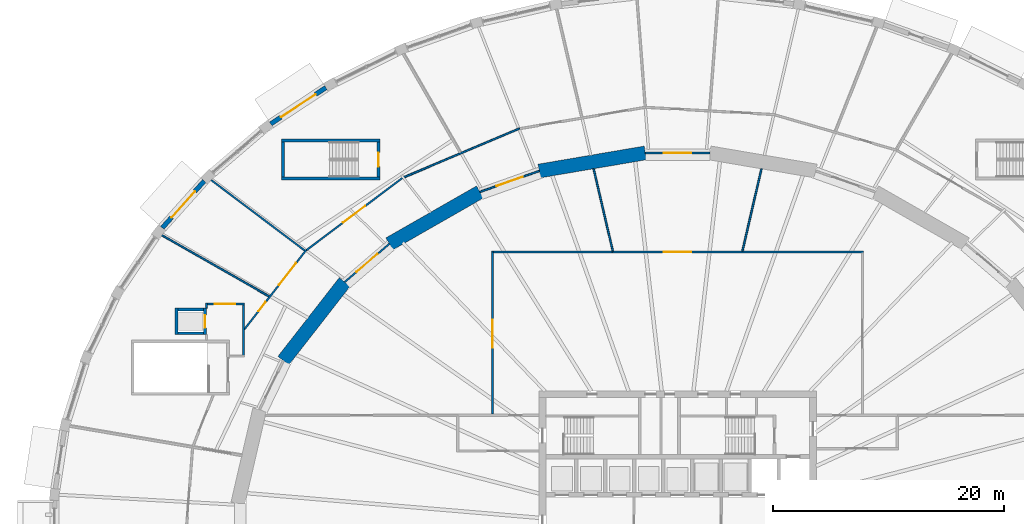
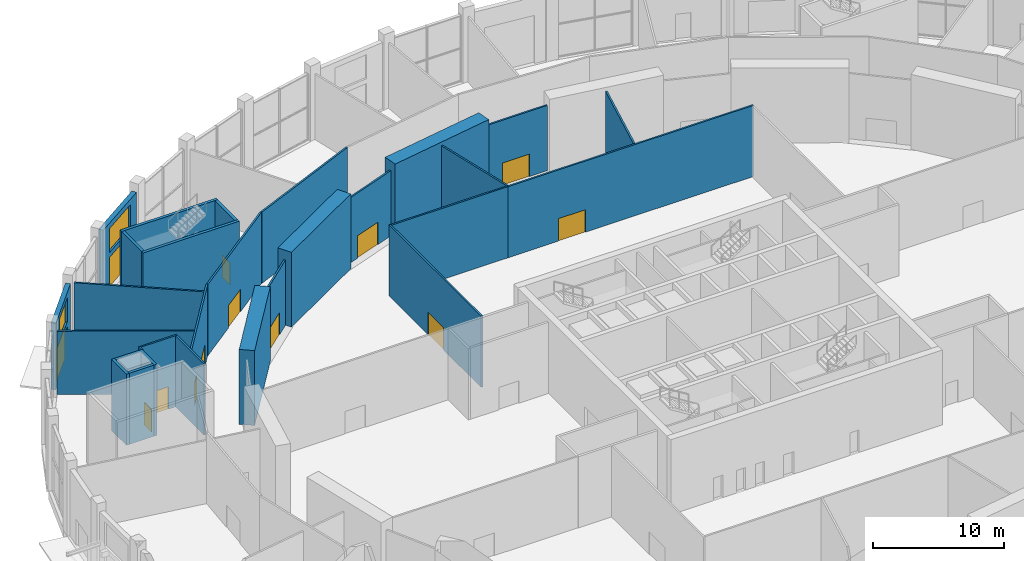
# One storey, part 26 of 33: 29 walls, 13 doors, 2 windows, 15 openings.
"""IFC4 building model written with IfcOpenShell, lengths in metres."""

from ifc_helpers import new_model, si_unit, direction, frame, frame_2d, origin, place, context, subcontext, project, spatial, polyline, rectangle, outline, extrude, material, layer, layer_set, type_object, element, fill, save


model = new_model("IFC4")

# Units and contexts
model_context = context("Model", 3, precision=1e-05, world=origin(), true_north=direction((0.0, 1.0)))
body_context = subcontext(model_context, "Body", "Model", "MODEL_VIEW")
ifc_project = project(units=[si_unit("LENGTHUNIT", "METRE"), si_unit("AREAUNIT", "SQUARE_METRE"), si_unit("VOLUMEUNIT", "CUBIC_METRE"), si_unit("PLANEANGLEUNIT", "RADIAN"), si_unit("MASSUNIT", "GRAM", prefix="KILO")], contexts=[model_context])

# Site, building, storey
site_placement = place(None, origin())
site = spatial("IfcSite", under=ifc_project, at=site_placement, CompositionType="ELEMENT")
building_placement = place(site_placement, origin())
building = spatial("IfcBuilding", under=site, at=building_placement, Name="Halqa Exchange Tower", CompositionType="ELEMENT")
storey_placement = place(building_placement, origin())
storey = spatial("IfcBuildingStorey", under=building, at=storey_placement, Name="L00", CompositionType="ELEMENT", Elevation=0.0)

# Wall
ifc_material_1 = material(Name="Fire-rated gypsum board")
ifc_layer_1 = layer(ifc_material_1, 0.14990234375)
ifc_layer_set_1 = layer_set([ifc_layer_1], Name="Fire-rated gypsum board")
wall_type_1 = type_object("IfcWallType", Name="Fire partition EI 60 150", PredefinedType="PARTITIONING", material=ifc_layer_set_1)
wall_1_placement = place(storey_placement, frame((-40.75, 19.14990234375, 0.0), z_axis=(0.0, 0.0, 1.0), x_axis=(0.0, 1.0, 0.0)))
element("IfcWall", 1, at=wall_1_placement, inside=storey, type_object=wall_type_1, Name="L00-PWL-010", PredefinedType="PARTITIONING", context=body_context, shape_type="SweptSolid", body=[
    extrude(rectangle(XDim=0.425048828125, YDim=0.14990234375, at=frame_2d((0.21240234375, 0.0))), origin(), (0.0, 0.0, 1.0), 6.64990234375),
])

# Wall, opening, door
wall_2_placement = place(storey_placement, frame((-40.675048828125, 19.5, 0.0), z_axis=(0.0, 0.0, 1.0), x_axis=(1.0, 0.0, 0.0)))
wall_2 = element("IfcWall", 2, at=wall_2_placement, inside=storey, type_object=wall_type_1, Name="L00-PWL-011", PredefinedType="PARTITIONING", context=body_context, shape_type="SweptSolid", body=[
    extrude(rectangle(XDim=3.199951171875, YDim=0.14990234375, at=frame_2d((1.60009765625, 0.0))), origin(), (0.0, 0.0, 1.0), 6.64990234375),
])
opening_1_placement = place(wall_2_placement, frame((0.625, 0.0, 0.0)))
opening_1 = element("IfcOpeningElement", 3, at=opening_1_placement, cuts=wall_2, Name="Opening L00-65", PredefinedType="OPENING", context=body_context, shape_type="SweptSolid", body=[
    extrude(rectangle(XDim=1.800048828125, YDim=2.10009765625, at=frame_2d((0.89990234375, 1.050048828125))), frame((0.0, 0.0869140625, 0.0), z_axis=(0.0, -1.0, 0.0), x_axis=(1.0, 0.0, 0.0)), (0.0, 0.0, 1.0), 0.173828125),
])
ifc_material_2 = material(Name="Steel fire door leaf", Category="steel")
door_type_1 = type_object("IfcDoorType", Name="Fire door FD30S double 1800 x 2100", OperationType="DOUBLE_DOOR_SINGLE_SWING", PredefinedType="DOOR", material=ifc_material_2)
door_1_placement = place(opening_1_placement, origin())
door_1 = element("IfcDoor", 4, at=door_1_placement, inside=storey, type_object=door_type_1, Name="L00-IDR-065", OperationType="DOUBLE_DOOR_SINGLE_SWING", OverallHeight=2.10009765625, OverallWidth=1.800048828125, PredefinedType="DOOR", context=body_context, shape_type="SweptSolid", body=[
    extrude(rectangle(XDim=1.800048828125, YDim=2.10009765625, at=frame_2d((0.89990234375, 1.050048828125))), frame((0.0, 0.02490234375, 0.0), z_axis=(0.0, -1.0, 0.0), x_axis=(1.0, 0.0, 0.0)), (0.0, 0.0, 1.0), 0.050048828125),
])
fill(opening_1, door_1)

# Walls
wall_3_placement = place(storey_placement, frame((-40.337646484375, 30.225341796875, 0.0), z_axis=(0.0, 0.0, 1.0), x_axis=(0.798789212221, -0.601610999267, 0.0)))
element("IfcWall", 5, at=wall_3_placement, inside=storey, type_object=wall_type_1, Name="L00-PWL-012", PredefinedType="PARTITIONING", context=body_context, shape_type="SweptSolid", body=[
    extrude(outline(polyline([(-0.011474609375, -0.074951171875), (10.273193359375, -0.074951171875), (10.273193359375, 0.074951171875), (0.011474609375, 0.074951171875), (-0.011474609375, -0.074951171875)])), origin(), (0.0, 0.0, 1.0), 6.050048828125),
])
wall_4_placement = place(storey_placement, frame((-37.550048828125, 15.074951171875, 0.0), z_axis=(0.0, 0.0, 1.0), x_axis=(0.0, 1.0, 0.0)))
element("IfcWall", 6, at=wall_4_placement, inside=storey, type_object=wall_type_1, Name="L00-PWL-018", PredefinedType="PARTITIONING", context=body_context, shape_type="SweptSolid", body=[
    extrude(rectangle(XDim=4.35107421875, YDim=0.14990234375, at=frame_2d((2.175537109375, 0.0))), origin(), (0.0, 0.0, 1.0), 6.64990234375),
])

# Wall, openings, doors
wall_5_placement = place(storey_placement, frame((-37.4755859375, 17.305419921875, 0.0), z_axis=(0.0, 0.0, 1.0), x_axis=(0.614894762304, 0.788609175252, 0.0)))
wall_5 = element("IfcWall", 7, at=wall_5_placement, inside=storey, type_object=wall_type_1, Name="L00-PWL-019", PredefinedType="PARTITIONING", context=body_context, shape_type="SweptSolid", body=[
    extrude(rectangle(XDim=8.72900390625, YDim=0.14990234375, at=frame_2d((4.364501953125, 0.0))), origin(), (0.0, 0.0, 1.0), 6.64990234375),
])
opening_2_placement = place(wall_5_placement, frame((4.890869140625, 0.0, 0.0)))
opening_2 = element("IfcOpeningElement", 8, at=opening_2_placement, cuts=wall_5, Name="Opening L00-48", PredefinedType="OPENING", context=body_context, shape_type="SweptSolid", body=[
    extrude(rectangle(XDim=2.39990234375, YDim=2.10009765625, at=frame_2d((1.199951171875, 1.050048828125))), frame((0.0, 0.0869140625, 0.0), z_axis=(0.0, -1.0, 0.0), x_axis=(1.0, 0.0, 0.0)), (0.0, 0.0, 1.0), 0.173828125),
])
opening_3_placement = place(wall_5_placement, frame((1.9931640625, 0.0, 0.0)))
opening_3 = element("IfcOpeningElement", 9, at=opening_3_placement, cuts=wall_5, Name="Opening L00-49", PredefinedType="OPENING", context=body_context, shape_type="SweptSolid", body=[
    extrude(rectangle(XDim=1.0, YDim=2.10009765625, at=frame_2d((0.5, 1.050048828125))), frame((0.0, 0.0869140625, 0.0), z_axis=(0.0, -1.0, 0.0), x_axis=(1.0, 0.0, 0.0)), (0.0, 0.0, 1.0), 0.173828125),
])
door_type_2 = type_object("IfcDoorType", Name="Fire door FD30S 1000 x 2100", OperationType="SINGLE_SWING_LEFT", PredefinedType="DOOR", material=ifc_material_2)
door_2_placement = place(opening_3_placement, frame((1.0, 0.0, 0.0), z_axis=(0.0, 0.0, 1.0), x_axis=(-1.0, 0.0, 0.0)))
door_2 = element("IfcDoor", 10, at=door_2_placement, inside=storey, type_object=door_type_2, Name="L00-IDR-049", OperationType="SINGLE_SWING_LEFT", OverallHeight=2.10009765625, OverallWidth=1.0, PredefinedType="DOOR", context=body_context, shape_type="SweptSolid", body=[
    extrude(rectangle(XDim=1.0, YDim=2.10009765625, at=frame_2d((0.5, 1.050048828125))), frame((0.0, 0.02490234375, 0.0), z_axis=(0.0, -1.0, 0.0), x_axis=(1.0, 0.0, 0.0)), (0.0, 0.0, 1.0), 0.050048828125),
])
fill(opening_3, door_2)
door_type_3 = type_object("IfcDoorType", Name="Fire door FD60S double 2400 x 2100", OperationType="DOUBLE_DOOR_SINGLE_SWING", PredefinedType="DOOR", material=ifc_material_2)
door_3_placement = place(opening_2_placement, origin())
door_3 = element("IfcDoor", 11, at=door_3_placement, inside=storey, type_object=door_type_3, Name="L00-IDR-048", OperationType="DOUBLE_DOOR_SINGLE_SWING", OverallHeight=2.10009765625, OverallWidth=2.39990234375, PredefinedType="DOOR", context=body_context, shape_type="SweptSolid", body=[
    extrude(rectangle(XDim=2.39990234375, YDim=2.10009765625, at=frame_2d((1.199951171875, 1.050048828125))), frame((0.0, 0.02490234375, 0.0), z_axis=(0.0, -1.0, 0.0), x_axis=(1.0, 0.0, 0.0)), (0.0, 0.0, 1.0), 0.050048828125),
])
fill(opening_2, door_3)

# Wall
wall_6_placement = place(storey_placement, frame((-35.33740234375, 20.16845703125, 0.0), z_axis=(0.0, 0.0, 1.0), x_axis=(-0.868241733504, 0.496141403435, 0.0)))
element("IfcWall", 12, at=wall_6_placement, inside=storey, type_object=wall_type_1, Name="L00-PWL-024", PredefinedType="PARTITIONING", context=body_context, shape_type="SweptSolid", body=[
    extrude(outline(polyline([(-0.0107421875, -0.074951171875), (10.655029296875, -0.074951171875), (10.676513671875, 0.074951171875), (0.0107421875, 0.074951171875), (-0.0107421875, -0.074951171875)])), origin(), (0.0, 0.0, 1.0), 5.89697265625),
])

# Wall, opening, door
wall_7_placement = place(storey_placement, frame((-32.131591796875, 24.138916015625, 0.0), z_axis=(0.0, 0.0, 1.0), x_axis=(0.799199441693, 0.601065930158, 0.0)))
wall_7 = element("IfcWall", 13, at=wall_7_placement, inside=storey, type_object=wall_type_1, Name="L00-PWL-026", PredefinedType="PARTITIONING", context=body_context, shape_type="SweptSolid", body=[
    extrude(rectangle(XDim=10.548828125, YDim=0.14990234375, at=frame_2d((5.2744140625, 0.0))), origin(), (0.0, 0.0, 1.0), 6.64990234375),
])
opening_4_placement = place(wall_7_placement, frame((4.0009765625, 0.0, 0.0)))
opening_4 = element("IfcOpeningElement", 14, at=opening_4_placement, cuts=wall_7, Name="Opening L00-47", PredefinedType="OPENING", context=body_context, shape_type="SweptSolid", body=[
    extrude(rectangle(XDim=2.39990234375, YDim=2.10009765625, at=frame_2d((1.199951171875, 1.050048828125))), frame((0.0, 0.0869140625, 0.0), z_axis=(0.0, -1.0, 0.0), x_axis=(1.0, 0.0, 0.0)), (0.0, 0.0, 1.0), 0.173828125),
])
door_4_placement = place(opening_4_placement, frame((2.39990234375, 0.0, 0.0), z_axis=(0.0, 0.0, 1.0), x_axis=(-1.0, 0.0, 0.0)))
door_4 = element("IfcDoor", 15, at=door_4_placement, inside=storey, type_object=door_type_3, Name="L00-IDR-047", OperationType="DOUBLE_DOOR_SINGLE_SWING", OverallHeight=2.10009765625, OverallWidth=2.39990234375, PredefinedType="DOOR", context=body_context, shape_type="SweptSolid", body=[
    extrude(rectangle(XDim=2.39990234375, YDim=2.10009765625, at=frame_2d((1.199951171875, 1.050048828125))), frame((0.0, 0.02490234375, 0.0), z_axis=(0.0, -1.0, 0.0), x_axis=(1.0, 0.0, 0.0)), (0.0, 0.0, 1.0), 0.050048828125),
])
fill(opening_4, door_4)

wall_8_placement = place(storey_placement, frame((-28.789306640625, 21.41064453125, 0.0), z_axis=(0.0, 0.0, 1.0), x_axis=(0.760084552743, 0.649824185978, 0.0)))
wall_8 = element("IfcWall", 16, at=wall_8_placement, inside=storey, type_object=wall_type_1, Name="L00-PWL-028", PredefinedType="PARTITIONING", context=body_context, shape_type="SweptSolid", body=[
    extrude(outline(polyline([(0.015380859375, -0.074951171875), (5.060791015625, -0.074951171875), (5.089111328125, 0.074951171875), (-0.015380859375, 0.074951171875), (0.015380859375, -0.074951171875)])), origin(), (0.0, 0.0, 1.0), 6.10009765625),
])
opening_5_placement = place(wall_8_placement, frame((1.338134765625, 0.0, 0.0)))
opening_5 = element("IfcOpeningElement", 17, at=opening_5_placement, cuts=wall_8, Name="Opening L00-25", PredefinedType="OPENING", context=body_context, shape_type="SweptSolid", body=[
    extrude(rectangle(XDim=2.39990234375, YDim=2.10009765625, at=frame_2d((1.199951171875, 1.050048828125))), frame((0.0, 0.0869140625, 0.0), z_axis=(0.0, -1.0, 0.0), x_axis=(1.0, 0.0, 0.0)), (0.0, 0.0, 1.0), 0.173828125),
])
door_5_placement = place(opening_5_placement, frame((2.39990234375, 0.0, 0.0), z_axis=(0.0, 0.0, 1.0), x_axis=(-1.0, 0.0, 0.0)))
door_5 = element("IfcDoor", 18, at=door_5_placement, inside=storey, type_object=door_type_3, Name="L00-IDR-025", OperationType="DOUBLE_DOOR_SINGLE_SWING", OverallHeight=2.10009765625, OverallWidth=2.39990234375, PredefinedType="DOOR", context=body_context, shape_type="SweptSolid", body=[
    extrude(rectangle(XDim=2.39990234375, YDim=2.10009765625, at=frame_2d((1.199951171875, 1.050048828125))), frame((0.0, 0.02490234375, 0.0), z_axis=(0.0, -1.0, 0.0), x_axis=(1.0, 0.0, 0.0)), (0.0, 0.0, 1.0), 0.050048828125),
])
fill(opening_5, door_5)

# Wall
wall_9_placement = place(storey_placement, frame((-23.6865234375, 30.45947265625, 0.0), z_axis=(0.0, 0.0, 1.0), x_axis=(0.921275306177, 0.388911056964, 0.0)))
element("IfcWall", 19, at=wall_9_placement, inside=storey, type_object=wall_type_1, Name="L00-PWL-030", PredefinedType="PARTITIONING", context=body_context, shape_type="SweptSolid", body=[
    extrude(rectangle(XDim=10.873291015625, YDim=0.14990234375, at=frame_2d((5.4365234375, 0.0))), origin(), (0.0, 0.0, 1.0), 6.64990234375),
])

# Wall, opening, door
wall_10_placement = place(storey_placement, frame((-17.0908203125, 29.19970703125, 0.0), z_axis=(0.0, 0.0, 1.0), x_axis=(0.942814385805, 0.333318217204, 0.0)))
wall_10 = element("IfcWall", 20, at=wall_10_placement, inside=storey, type_object=wall_type_1, Name="L00-PWL-041", PredefinedType="PARTITIONING", context=body_context, shape_type="SweptSolid", body=[
    extrude(outline(polyline([(0.013671875, -0.074951171875), (5.421875, -0.074951171875), (5.44775390625, 0.074951171875), (-0.013671875, 0.074951171875), (0.013671875, -0.074951171875)])), origin(), (0.0, 0.0, 1.0), 6.10009765625),
])
opening_6_placement = place(wall_10_placement, frame((1.516357421875, 0.0, 0.0)))
opening_6 = element("IfcOpeningElement", 21, at=opening_6_placement, cuts=wall_10, Name="Opening L00-24", PredefinedType="OPENING", context=body_context, shape_type="SweptSolid", body=[
    extrude(rectangle(XDim=2.39990234375, YDim=2.10009765625, at=frame_2d((1.199951171875, 1.050048828125))), frame((0.0, 0.0869140625, 0.0), z_axis=(0.0, -1.0, 0.0), x_axis=(1.0, 0.0, 0.0)), (0.0, 0.0, 1.0), 0.173828125),
])
door_6_placement = place(opening_6_placement, frame((2.39990234375, 0.0, 0.0), z_axis=(0.0, 0.0, 1.0), x_axis=(-1.0, 0.0, 0.0)))
door_6 = element("IfcDoor", 22, at=door_6_placement, inside=storey, type_object=door_type_3, Name="L00-IDR-024", OperationType="DOUBLE_DOOR_SINGLE_SWING", OverallHeight=2.10009765625, OverallWidth=2.39990234375, PredefinedType="DOOR", context=body_context, shape_type="SweptSolid", body=[
    extrude(rectangle(XDim=2.39990234375, YDim=2.10009765625, at=frame_2d((1.199951171875, 1.050048828125))), frame((0.0, 0.02490234375, 0.0), z_axis=(0.0, -1.0, 0.0), x_axis=(1.0, 0.0, 0.0)), (0.0, 0.0, 1.0), 0.050048828125),
])
fill(opening_6, door_6)

wall_11_placement = place(storey_placement, frame((-16.0, 9.97998046875, 0.0), z_axis=(0.0, 0.0, 1.0), x_axis=(0.0, 1.0, 0.0)))
wall_11 = element("IfcWall", 23, at=wall_11_placement, inside=storey, type_object=wall_type_1, Name="L00-PWL-044", PredefinedType="PARTITIONING", context=body_context, shape_type="SweptSolid", body=[
    extrude(rectangle(XDim=14.094970703125, YDim=0.14990234375, at=frame_2d((7.04736328125, 0.0))), origin(), (0.0, 0.0, 1.0), 6.64990234375),
])
opening_7_placement = place(wall_11_placement, frame((5.760009765625, 0.0, 0.0)))
opening_7 = element("IfcOpeningElement", 24, at=opening_7_placement, cuts=wall_11, Name="Opening L00-11", PredefinedType="OPENING", context=body_context, shape_type="SweptSolid", body=[
    extrude(rectangle(XDim=2.39990234375, YDim=2.10009765625, at=frame_2d((1.199951171875, 1.050048828125))), frame((0.0, 0.0869140625, 0.0), z_axis=(0.0, -1.0, 0.0), x_axis=(1.0, 0.0, 0.0)), (0.0, 0.0, 1.0), 0.173828125),
])
door_7_placement = place(opening_7_placement, origin())
door_7 = element("IfcDoor", 25, at=door_7_placement, inside=storey, type_object=door_type_3, Name="L00-IDR-011", OperationType="DOUBLE_DOOR_SINGLE_SWING", OverallHeight=2.10009765625, OverallWidth=2.39990234375, PredefinedType="DOOR", context=body_context, shape_type="SweptSolid", body=[
    extrude(rectangle(XDim=2.39990234375, YDim=2.10009765625, at=frame_2d((1.199951171875, 1.050048828125))), frame((0.0, 0.02490234375, 0.0), z_axis=(0.0, -1.0, 0.0), x_axis=(1.0, 0.0, 0.0)), (0.0, 0.0, 1.0), 0.050048828125),
])
fill(opening_7, door_7)

# Walls
wall_12_placement = place(storey_placement, frame((-15.925048828125, 24.0, 0.0), z_axis=(0.0, 0.0, 1.0), x_axis=(1.0, 0.0, 0.0)))
element("IfcWall", 26, at=wall_12_placement, inside=storey, type_object=wall_type_1, Name="L00-PWL-045", PredefinedType="PARTITIONING", context=body_context, shape_type="SweptSolid", body=[
    extrude(rectangle(XDim=10.27001953125, YDim=0.14990234375, at=frame_2d((5.135009765625, 0.0))), origin(), (0.0, 0.0, 1.0), 6.64990234375),
])
wall_13_placement = place(storey_placement, frame((-7.260986328125, 31.203857421875, 0.0), z_axis=(0.0, 0.0, 1.0), x_axis=(0.227418301439, -0.973797163772, 0.0)))
element("IfcWall", 27, at=wall_13_placement, inside=storey, type_object=wall_type_1, Name="L00-PWL-053", PredefinedType="PARTITIONING", context=body_context, shape_type="SweptSolid", body=[
    extrude(outline(polyline([(-0.004638671875, -0.074951171875), (7.321533203125, -0.074951171875), (7.321533203125, 0.074951171875), (0.004638671875, 0.074951171875), (-0.004638671875, -0.074951171875)])), origin(), (0.0, 0.0, 1.0), 6.64990234375),
])

# Wall, opening, door
wall_14_placement = place(storey_placement, frame((-5.656005859375, 24.0, 0.0), z_axis=(0.0, 0.0, 1.0), x_axis=(1.0, 0.0, 0.0)))
wall_14 = element("IfcWall", 28, at=wall_14_placement, inside=storey, type_object=wall_type_1, Name="L00-PWL-054", PredefinedType="PARTITIONING", context=body_context, shape_type="SweptSolid", body=[
    extrude(rectangle(XDim=21.73095703125, YDim=0.14990234375, at=frame_2d((10.865478515625, 0.0))), origin(), (0.0, 0.0, 1.0), 6.64990234375),
])
opening_8_placement = place(wall_14_placement, frame((4.4560546875, 0.0, 0.0)))
opening_8 = element("IfcOpeningElement", 29, at=opening_8_placement, cuts=wall_14, Name="Opening L00-17", PredefinedType="OPENING", context=body_context, shape_type="SweptSolid", body=[
    extrude(rectangle(XDim=2.39990234375, YDim=2.10009765625, at=frame_2d((1.199951171875, 1.050048828125))), frame((0.0, 0.0869140625, 0.0), z_axis=(0.0, -1.0, 0.0), x_axis=(1.0, 0.0, 0.0)), (0.0, 0.0, 1.0), 0.173828125),
])
door_8_placement = place(opening_8_placement, origin())
door_8 = element("IfcDoor", 30, at=door_8_placement, inside=storey, type_object=door_type_3, Name="L00-IDR-017", OperationType="DOUBLE_DOOR_SINGLE_SWING", OverallHeight=2.10009765625, OverallWidth=2.39990234375, PredefinedType="DOOR", context=body_context, shape_type="SweptSolid", body=[
    extrude(rectangle(XDim=2.39990234375, YDim=2.10009765625, at=frame_2d((1.199951171875, 1.050048828125))), frame((0.0, 0.02490234375, 0.0), z_axis=(0.0, -1.0, 0.0), x_axis=(1.0, 0.0, 0.0)), (0.0, 0.0, 1.0), 0.050048828125),
])
fill(opening_8, door_8)

wall_15_placement = place(storey_placement, frame((-2.7880859375, 32.570068359375, 0.0), z_axis=(0.0, 0.0, 1.0), x_axis=(1.0, 0.0, 0.0)))
wall_15 = element("IfcWall", 31, at=wall_15_placement, inside=storey, type_object=wall_type_1, Name="L00-PWL-057", PredefinedType="PARTITIONING", context=body_context, shape_type="SweptSolid", body=[
    extrude(outline(polyline([(0.0126953125, -0.074951171875), (5.5634765625, -0.074951171875), (5.5888671875, 0.074951171875), (-0.0126953125, 0.074951171875), (0.0126953125, -0.074951171875)])), origin(), (0.0, 0.0, 1.0), 6.10009765625),
])
opening_9_placement = place(wall_15_placement, frame((1.587890625, 0.0, 0.0)))
opening_9 = element("IfcOpeningElement", 32, at=opening_9_placement, cuts=wall_15, Name="Opening L00-27", PredefinedType="OPENING", context=body_context, shape_type="SweptSolid", body=[
    extrude(rectangle(XDim=2.39990234375, YDim=2.10009765625, at=frame_2d((1.199951171875, 1.050048828125))), frame((0.0, 0.0869140625, 0.0), z_axis=(0.0, -1.0, 0.0), x_axis=(1.0, 0.0, 0.0)), (0.0, 0.0, 1.0), 0.173828125),
])
door_9_placement = place(opening_9_placement, frame((2.39990234375, 0.0, 0.0), z_axis=(0.0, 0.0, 1.0), x_axis=(-1.0, 0.0, 0.0)))
door_9 = element("IfcDoor", 33, at=door_9_placement, inside=storey, type_object=door_type_3, Name="L00-IDR-027", OperationType="DOUBLE_DOOR_SINGLE_SWING", OverallHeight=2.10009765625, OverallWidth=2.39990234375, PredefinedType="DOOR", context=body_context, shape_type="SweptSolid", body=[
    extrude(rectangle(XDim=2.39990234375, YDim=2.10009765625, at=frame_2d((1.199951171875, 1.050048828125))), frame((0.0, 0.02490234375, 0.0), z_axis=(0.0, -1.0, 0.0), x_axis=(1.0, 0.0, 0.0)), (0.0, 0.0, 1.0), 0.050048828125),
])
fill(opening_9, door_9)

# Walls
wall_16_placement = place(storey_placement, frame((5.607177734375, 24.073974609375, 0.0), z_axis=(0.0, 0.0, 1.0), x_axis=(0.225505080138, 0.974241991926, 0.0)))
element("IfcWall", 34, at=wall_16_placement, inside=storey, type_object=wall_type_1, Name="L00-PWL-064", PredefinedType="PARTITIONING", context=body_context, shape_type="SweptSolid", body=[
    extrude(outline(polyline([(0.017333984375, -0.074951171875), (7.322998046875, -0.074951171875), (7.314208984375, 0.074951171875), (-0.017333984375, 0.074951171875), (0.017333984375, -0.074951171875)])), origin(), (0.0, 0.0, 1.0), 6.64990234375),
])
ifc_material_3 = material(Name="Gypsum board")
ifc_layer_2 = layer(ifc_material_3, 0.25)
ifc_layer_set_2 = layer_set([ifc_layer_2], Name="Gypsum board")
wall_type_2 = type_object("IfcWallType", Name="Penthouse riser wall 250 gypsum", PredefinedType="PARTITIONING", material=ifc_layer_set_2)
wall_17_placement = place(storey_placement, frame((-43.324951171875, 16.85009765625, 0.0), z_axis=(0.0, 0.0, 1.0), x_axis=(0.0, 1.0, 0.0)))
element("IfcWall", 35, at=wall_17_placement, inside=storey, type_object=wall_type_2, Name="Station lift AL3 wall west", PredefinedType="PARTITIONING", context=body_context, shape_type="SweptSolid", body=[
    extrude(rectangle(XDim=2.2998046875, YDim=0.25, at=frame_2d((1.14990234375, 0.0))), origin(), (0.0, 0.0, 1.0), 6.64990234375),
])

# Wall, opening, door
wall_18_placement = place(storey_placement, frame((-40.875, 16.85009765625, 0.0), z_axis=(0.0, 0.0, 1.0), x_axis=(0.0, 1.0, 0.0)))
wall_18 = element("IfcWall", 36, at=wall_18_placement, inside=storey, type_object=wall_type_2, Name="Station lift AL3 wall east", PredefinedType="PARTITIONING", context=body_context, shape_type="SweptSolid", body=[
    extrude(rectangle(XDim=2.2998046875, YDim=0.25, at=frame_2d((1.14990234375, 0.0))), origin(), (0.0, 0.0, 1.0), 6.64990234375),
])
opening_10_placement = place(wall_18_placement, frame((0.60009765625, 0.0, 0.0)))
opening_10 = element("IfcOpeningElement", 37, at=opening_10_placement, cuts=wall_18, Name="Opening LD-AL3-L00", PredefinedType="OPENING", context=body_context, shape_type="SweptSolid", body=[
    extrude(rectangle(XDim=1.10009765625, YDim=2.10009765625, at=frame_2d((0.550048828125, 1.050048828125))), frame((0.0, 0.136962890625, 0.0), z_axis=(0.0, -1.0, 0.0), x_axis=(1.0, 0.0, 0.0)), (0.0, 0.0, 1.0), 0.27392578125),
])
ifc_material_4 = material(Name="Stainless steel", Category="steel")
door_type_4 = type_object("IfcDoorType", Name="Lift landing door 1100 x 2100", OperationType="SLIDING_TO_LEFT", PredefinedType="DOOR", material=ifc_material_4)
door_10_placement = place(opening_10_placement, origin())
door_10 = element("IfcDoor", 38, at=door_10_placement, inside=storey, type_object=door_type_4, Name="Lift landing door AL3", OperationType="SLIDING_TO_LEFT", OverallHeight=2.10009765625, OverallWidth=1.10009765625, PredefinedType="DOOR", context=body_context, shape_type="SweptSolid", body=[
    extrude(rectangle(XDim=1.10009765625, YDim=2.10009765625, at=frame_2d((0.550048828125, 1.050048828125))), frame((0.0, 0.02490234375, 0.0), z_axis=(0.0, -1.0, 0.0), x_axis=(1.0, 0.0, 0.0)), (0.0, 0.0, 1.0), 0.050048828125),
])
fill(opening_10, door_10)

# Walls
for number, where, z_axis, x_axis, name in (
    (39, (-43.199951171875, 19.02490234375, 0.0), (0.0, 0.0, 1.0), (1.0, 0.0, 0.0), "Station lift AL3 wall north"),
    (40, (-43.199951171875, 16.97509765625, 0.0), (0.0, 0.0, 1.0), (1.0, 0.0, 0.0), "Station lift AL3 wall south"),
):
    element("IfcWall", number, at=place(storey_placement, frame(where, z_axis=z_axis, x_axis=x_axis)), inside=storey, type_object=wall_type_2, Name=name, PredefinedType="PARTITIONING", context=body_context, shape_type="SweptSolid", body=[
        extrude(rectangle(XDim=2.199951171875, YDim=0.25, at=frame_2d((1.10009765625, 0.0))), origin(), (0.0, 0.0, 1.0), 6.64990234375),
    ])
ifc_material_5 = material(Name="Concrete C80/95", Category="concrete")
ifc_layer_3 = layer(ifc_material_5, 1.199951171875)
ifc_layer_set_3 = layer_set([ifc_layer_3], Name="Concrete C80/95")
wall_type_3 = type_object("IfcWallType", Name="RC ring pier 1200 C80/95", PredefinedType="SHEAR", material=ifc_layer_set_3)
wall_19_placement = place(storey_placement, frame((-2.7880859375, 32.57421875, 0.0), z_axis=(0.0, 0.0, 1.0), x_axis=(-0.985776286846, -0.168062822456, 0.0)))
element("IfcWall", 41, at=wall_19_placement, inside=storey, type_object=wall_type_3, Name="Ring pier 5", PredefinedType="SHEAR", context=body_context, shape_type="SweptSolid", body=[
    extrude(rectangle(XDim=9.3115234375, YDim=1.199951171875, at=frame_2d((4.65576171875, 0.0))), origin(), (0.0, 0.0, 1.0), 7.0),
])
wall_20_placement = place(storey_placement, frame((-17.088623046875, 29.197509765625, 0.0), z_axis=(0.0, 0.0, 1.0), x_axis=(-0.867760656864, -0.496982336103, 0.0)))
element("IfcWall", 42, at=wall_20_placement, inside=storey, type_object=wall_type_3, Name="Ring pier 6", PredefinedType="SHEAR", context=body_context, shape_type="SweptSolid", body=[
    extrude(rectangle(XDim=9.037841796875, YDim=1.199951171875, at=frame_2d((4.51904296875, 0.0))), origin(), (0.0, 0.0, 1.0), 7.0),
])
wall_21_placement = place(storey_placement, frame((-28.790283203125, 21.412353515625, 0.0), z_axis=(0.0, 0.0, 1.0), x_axis=(-0.614825322247, -0.788663314174, 0.0)))
element("IfcWall", 43, at=wall_21_placement, inside=storey, type_object=wall_type_3, Name="Ring pier 7", PredefinedType="SHEAR", context=body_context, shape_type="SweptSolid", body=[
    extrude(rectangle(XDim=8.631591796875, YDim=1.199951171875, at=frame_2d((4.31591796875, 0.0))), origin(), (0.0, 0.0, 1.0), 7.0),
])
ifc_material_6 = material(Name="Concrete C30/37", Category="concrete")
ifc_layer_4 = layer(ifc_material_6, 0.25)
ifc_layer_set_4 = layer_set([ifc_layer_4], Name="Concrete C30/37")
wall_type_4 = type_object("IfcWallType", Name="RC stair wall 250 C30/37", PredefinedType="SHEAR", material=ifc_layer_set_4)
for number, where, z_axis, x_axis, name in (
    (44, (-34.25, 33.64990234375, 0.0), (0.0, 0.0, 1.0), (1.0, 0.0, 0.0), "Stair PS3 wall north"),
    (45, (-34.25, 30.35009765625, 0.0), (0.0, 0.0, 1.0), (1.0, 0.0, 0.0), "Stair PS3 wall south"),
):
    element("IfcWall", number, at=place(storey_placement, frame(where, z_axis=z_axis, x_axis=x_axis)), inside=storey, type_object=wall_type_4, Name=name, PredefinedType="SHEAR", context=body_context, shape_type="SweptSolid", body=[
        extrude(rectangle(XDim=8.5, YDim=0.25, at=frame_2d((4.25, 0.0))), origin(), (0.0, 0.0, 1.0), 6.64990234375),
    ])
wall_22_placement = place(storey_placement, frame((-34.125, 30.47509765625, 0.0), z_axis=(0.0, 0.0, 1.0), x_axis=(0.0, 1.0, 0.0)))
element("IfcWall", 46, at=wall_22_placement, inside=storey, type_object=wall_type_4, Name="Stair PS3 wall west", PredefinedType="SHEAR", context=body_context, shape_type="SweptSolid", body=[
    extrude(rectangle(XDim=3.0498046875, YDim=0.25, at=frame_2d((1.52490234375, 0.0))), origin(), (0.0, 0.0, 1.0), 6.64990234375),
])

# Wall, opening, door
wall_23_placement = place(storey_placement, frame((-25.875, 30.47509765625, 0.0), z_axis=(0.0, 0.0, 1.0), x_axis=(0.0, 1.0, 0.0)))
wall_23 = element("IfcWall", 47, at=wall_23_placement, inside=storey, type_object=wall_type_4, Name="Stair PS3 wall east", PredefinedType="SHEAR", context=body_context, shape_type="SweptSolid", body=[
    extrude(rectangle(XDim=3.0498046875, YDim=0.25, at=frame_2d((1.52490234375, 0.0))), origin(), (0.0, 0.0, 1.0), 6.64990234375),
])
opening_11_placement = place(wall_23_placement, frame((0.925048828125, 0.0, 0.0)))
opening_11 = element("IfcOpeningElement", 48, at=opening_11_placement, cuts=wall_23, Name="Opening L00-C33", PredefinedType="OPENING", context=body_context, shape_type="SweptSolid", body=[
    extrude(rectangle(XDim=1.199951171875, YDim=2.10009765625, at=frame_2d((0.60009765625, 1.050048828125))), frame((0.0, 0.136962890625, 0.0), z_axis=(0.0, -1.0, 0.0), x_axis=(1.0, 0.0, 0.0)), (0.0, 0.0, 1.0), 0.27392578125),
])
door_type_5 = type_object("IfcDoorType", Name="Stair door FD90 1200 x 2100", OperationType="SINGLE_SWING_LEFT", PredefinedType="DOOR", material=ifc_material_2)
door_11_placement = place(opening_11_placement, origin())
door_11 = element("IfcDoor", 49, at=door_11_placement, inside=storey, type_object=door_type_5, Name="Stair door PS3", OperationType="SINGLE_SWING_RIGHT", OverallHeight=2.10009765625, OverallWidth=1.199951171875, PredefinedType="DOOR", context=body_context, shape_type="SweptSolid", body=[
    extrude(rectangle(XDim=1.199951171875, YDim=2.10009765625, at=frame_2d((0.60009765625, 1.050048828125))), frame((0.0, 0.02490234375, 0.0), z_axis=(0.0, -1.0, 0.0), x_axis=(1.0, 0.0, 0.0)), (0.0, 0.0, 1.0), 0.050048828125),
])
fill(opening_11, door_11)

# Wall, openings, door, window
ifc_material_7 = material(Name="Limestone cladding", Category="masonry")
ifc_layer_5 = layer(ifc_material_7, 0.0400390625)
ifc_material_8 = material(Name="Ventilated cavity")
ifc_layer_6 = layer(ifc_material_8, 0.030029296875, ventilated=True)
ifc_material_9 = material(Name="Mineral wool insulation")
ifc_layer_7 = layer(ifc_material_9, 0.1201171875)
ifc_layer_8 = layer(ifc_material_6, 0.179931640625)
ifc_material_10 = material(Name="Internal plaster")
ifc_layer_9 = layer(ifc_material_10, 0.030029296875)
ifc_layer_set_5 = layer_set([ifc_layer_5, ifc_layer_6, ifc_layer_7, ifc_layer_8, ifc_layer_9], Name="Stone-faced insulated wall 400")
wall_type_5 = type_object("IfcWallType", Name="Stone-faced insulated wall 400", PredefinedType="STANDARD", material=ifc_layer_set_5)
wall_24_placement = place(storey_placement, frame((-30.41845703125, 38.22216796875, 0.0), z_axis=(0.0, 0.0, 1.0), x_axis=(-0.835417082244, -0.549616501476, 0.0)))
wall_24 = element("IfcWall", 50, at=wall_24_placement, inside=storey, type_object=wall_type_5, Name="Podium wall 17", PredefinedType="STANDARD", context=body_context, shape_type="SweptSolid", body=[
    extrude(rectangle(XDim=5.7080078125, YDim=0.39990234375, at=frame_2d((2.85400390625, 0.0))), origin(), (0.0, 0.0, 1.0), 6.199951171875),
])
opening_12_placement = place(wall_24_placement, frame((1.053955078125, 0.0, 0.0)))
opening_12 = element("IfcOpeningElement", 51, at=opening_12_placement, cuts=wall_24, Name="Opening EN1-03", PredefinedType="OPENING", context=body_context, shape_type="SweptSolid", body=[
    extrude(rectangle(XDim=3.60009765625, YDim=3.0, at=frame_2d((1.800048828125, 1.5))), frame((0.0, 0.2119140625, 0.0), z_axis=(0.0, -1.0, 0.0), x_axis=(1.0, 0.0, 0.0)), (0.0, 0.0, 1.0), 0.423828125),
])
opening_13_placement = place(wall_24_placement, frame((1.053955078125, 0.0, 3.449951171875)))
opening_13 = element("IfcOpeningElement", 52, at=opening_13_placement, cuts=wall_24, Name="Opening WE-03", PredefinedType="OPENING", context=body_context, shape_type="SweptSolid", body=[
    extrude(rectangle(XDim=3.60009765625, YDim=2.25, at=frame_2d((1.800048828125, 1.125))), frame((0.0, 0.2119140625, 0.0), z_axis=(0.0, -1.0, 0.0), x_axis=(1.0, 0.0, 0.0)), (0.0, 0.0, 1.0), 0.423828125),
])
ifc_material_11 = material(Name="Clear low-emissivity glass in aluminium frame", Category="aluminium")
door_type_6 = type_object("IfcDoorType", Name="Automatic sliding entrance door 3600 x 3000", OperationType="DOUBLE_DOOR_SLIDING", PredefinedType="DOOR", material=ifc_material_11)
door_12_placement = place(opening_12_placement, frame((3.60009765625, 0.0, 0.0), z_axis=(0.0, 0.0, 1.0), x_axis=(-1.0, 0.0, 0.0)))
door_12 = element("IfcDoor", 53, at=door_12_placement, inside=storey, type_object=door_type_6, Name="Entrance door 3", OperationType="DOUBLE_DOOR_SLIDING", OverallHeight=3.0, OverallWidth=3.60009765625, PredefinedType="DOOR", context=body_context, shape_type="SweptSolid", body=[
    extrude(rectangle(XDim=3.60009765625, YDim=3.0, at=frame_2d((1.800048828125, 1.5))), frame((0.0, 0.02490234375, 0.0), z_axis=(0.0, -1.0, 0.0), x_axis=(1.0, 0.0, 0.0)), (0.0, 0.0, 1.0), 0.050048828125),
])
fill(opening_12, door_12)
window_type_1 = type_object("IfcWindowType", Name="Fixed clear entrance window 3600 x 2250", PartitioningType="TRIPLE_PANEL_VERTICAL", PredefinedType="WINDOW", material=ifc_material_11)
window_1_placement = place(opening_13_placement, origin())
window_1 = element("IfcWindow", 54, at=window_1_placement, inside=storey, type_object=window_type_1, Name="Entrance window", OverallHeight=2.25, OverallWidth=3.60009765625, PartitioningType="TRIPLE_PANEL_VERTICAL", PredefinedType="WINDOW", context=body_context, shape_type="SweptSolid", body=[
    extrude(rectangle(XDim=3.60009765625, YDim=2.25, at=frame_2d((1.800048828125, 1.125))), frame((0.0, 0.030029296875, 0.0), z_axis=(0.0, -1.0, 0.0), x_axis=(1.0, 0.0, 0.0)), (0.0, 0.0, 1.0), 0.06005859375),
])
fill(opening_13, window_1)

# Wall, openings, window, door
wall_25_placement = place(storey_placement, frame((-40.9326171875, 30.155029296875, 0.0), z_axis=(0.0, 0.0, 1.0), x_axis=(-0.666902265084, -0.745145199827, 0.0)))
wall_25 = element("IfcWall", 55, at=wall_25_placement, inside=storey, type_object=wall_type_5, Name="Podium wall 19", PredefinedType="STANDARD", context=body_context, shape_type="SweptSolid", body=[
    extrude(rectangle(XDim=5.447998046875, YDim=0.39990234375, at=frame_2d((2.72412109375, 0.0))), origin(), (0.0, 0.0, 1.0), 6.199951171875),
])
opening_14_placement = place(wall_25_placement, frame((1.22412109375, 0.0, 0.0)))
opening_14 = element("IfcOpeningElement", 56, at=opening_14_placement, cuts=wall_25, Name="Opening EN2-04", PredefinedType="OPENING", context=body_context, shape_type="SweptSolid", body=[
    extrude(rectangle(XDim=3.0, YDim=3.0, at=frame_2d((1.5, 1.5))), frame((0.0, 0.2119140625, 0.0), z_axis=(0.0, -1.0, 0.0), x_axis=(1.0, 0.0, 0.0)), (0.0, 0.0, 1.0), 0.423828125),
])
opening_15_placement = place(wall_25_placement, frame((1.22412109375, 0.0, 3.449951171875)))
opening_15 = element("IfcOpeningElement", 57, at=opening_15_placement, cuts=wall_25, Name="Opening WE-04", PredefinedType="OPENING", context=body_context, shape_type="SweptSolid", body=[
    extrude(rectangle(XDim=3.0, YDim=2.25, at=frame_2d((1.5, 1.125))), frame((0.0, 0.2119140625, 0.0), z_axis=(0.0, -1.0, 0.0), x_axis=(1.0, 0.0, 0.0)), (0.0, 0.0, 1.0), 0.423828125),
])
window_type_2 = type_object("IfcWindowType", Name="Fixed clear entrance window 3000 x 2250", PartitioningType="DOUBLE_PANEL_VERTICAL", PredefinedType="WINDOW", material=ifc_material_11)
window_2_placement = place(opening_15_placement, origin())
window_2 = element("IfcWindow", 58, at=window_2_placement, inside=storey, type_object=window_type_2, Name="Entrance window", OverallHeight=2.25, OverallWidth=3.0, PartitioningType="DOUBLE_PANEL_VERTICAL", PredefinedType="WINDOW", context=body_context, shape_type="SweptSolid", body=[
    extrude(rectangle(XDim=3.0, YDim=2.25, at=frame_2d((1.5, 1.125))), frame((0.0, 0.030029296875, 0.0), z_axis=(0.0, -1.0, 0.0), x_axis=(1.0, 0.0, 0.0)), (0.0, 0.0, 1.0), 0.06005859375),
])
fill(opening_15, window_2)
door_type_7 = type_object("IfcDoorType", Name="Revolving entrance door 3000 x 3000", OperationType="REVOLVING", PredefinedType="DOOR", material=ifc_material_11)
door_13_placement = place(opening_14_placement, frame((3.0, 0.0, 0.0), z_axis=(0.0, 0.0, 1.0), x_axis=(-1.0, 0.0, 0.0)))
door_13 = element("IfcDoor", 59, at=door_13_placement, inside=storey, type_object=door_type_7, Name="Entrance door 4", OperationType="REVOLVING", OverallHeight=3.0, OverallWidth=3.0, PredefinedType="DOOR", context=body_context, shape_type="SweptSolid", body=[
    extrude(rectangle(XDim=3.0, YDim=3.0, at=frame_2d((1.5, 1.5))), frame((0.0, 0.02490234375, 0.0), z_axis=(0.0, -1.0, 0.0), x_axis=(1.0, 0.0, 0.0)), (0.0, 0.0, 1.0), 0.050048828125),
])
fill(opening_14, door_13)

save(model, "model.ifc")
